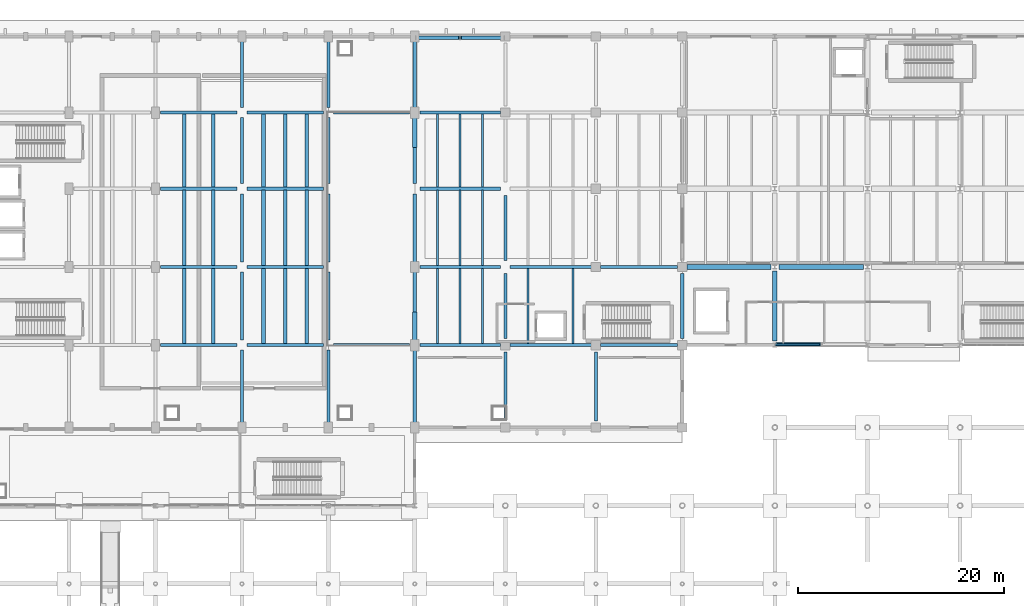
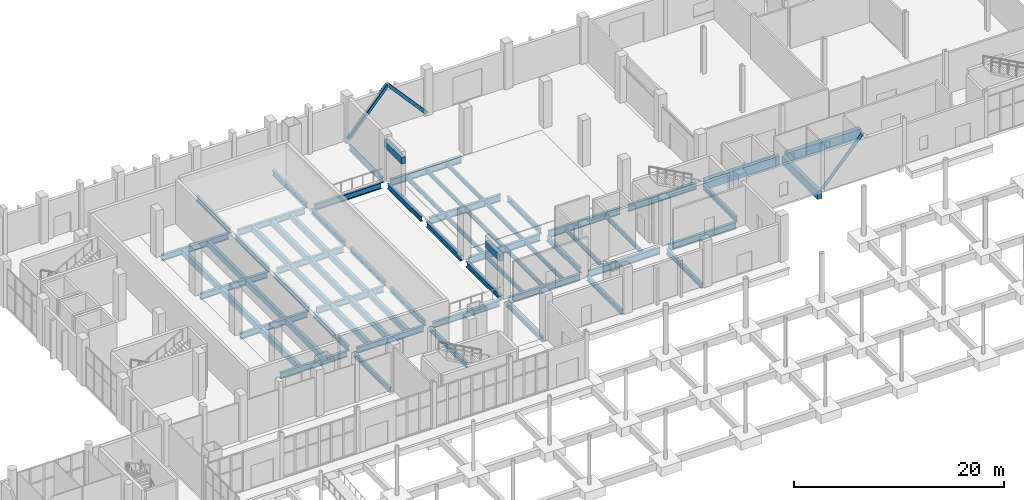
# One storey, part 46 of 95: 69 beams, 3 members.
"""IFC4 building model written with IfcOpenShell, lengths in metres."""

from ifc_helpers import new_model, si_unit, direction, frame, origin, origin_2d, place, context, subcontext, project, spatial, rectangle, hollow_rectangle, hollow_circle, i_section, extrude, material, material_profile, profile_set, type_object, element, save


model = new_model("IFC4")

# Units and contexts
model_context = context("Model", 3, precision=1e-05, world=origin(), true_north=direction((0.0, 1.0)))
body_context = subcontext(model_context, "Body", "Model", "MODEL_VIEW")
ifc_project = project(units=[si_unit("LENGTHUNIT", "METRE"), si_unit("AREAUNIT", "SQUARE_METRE"), si_unit("VOLUMEUNIT", "CUBIC_METRE"), si_unit("PLANEANGLEUNIT", "RADIAN"), si_unit("MASSUNIT", "GRAM", prefix="KILO")], contexts=[model_context])

# Site, building, storey
site_placement = place(None, origin())
site = spatial("IfcSite", under=ifc_project, at=site_placement, CompositionType="ELEMENT")
building_placement = place(site_placement, origin())
building = spatial("IfcBuilding", under=site, at=building_placement, Name="Shengluoqiao Park Theatre", CompositionType="ELEMENT")
storey_placement = place(building_placement, origin())
storey = spatial("IfcBuildingStorey", under=building, at=storey_placement, Name="L00", CompositionType="ELEMENT", Elevation=0.0)

# Beams
ifc_material_1 = material(Name="Concrete C40", Category="concrete")
ifc_material_profile_1 = material_profile(ifc_material_1, rectangle(XDim=0.35009765625, YDim=0.699951171875, at=origin_2d()), Name="RC BEAM 350x700")
ifc_profile_set_1 = profile_set([ifc_material_profile_1], Name="Concrete C40")
beam_type_1 = type_object("IfcBeamType", Name="STR-BM-B-RC3570", PredefinedType="BEAM", material=ifc_profile_set_1)
for number, where, z_axis, x_axis, name in (
    (1, (64.0, 84.14501953125, -0.64990234375), (0.0, 1.0, 0.0), (-1.0, 0.0, 0.0), "L00 Composite Joist 00121"),
    (2, (66.800048828125, 84.14501953125, -0.64990234375), (0.0, 1.0, 0.0), (-1.0, 0.0, 0.0), "L00 Composite Joist 00122"),
):
    element("IfcBeam", number, at=place(storey_placement, frame(where, z_axis=z_axis, x_axis=x_axis)), inside=storey, type_object=beam_type_1, Name=name, PredefinedType="JOIST", context=body_context, shape_type="SweptSolid", body=[
        extrude(rectangle(XDim=0.35009765625, YDim=0.699951171875, at=origin_2d()), origin(), (0.0, 0.0, 1.0), 7.31005859375),
    ])
for number, where, z_axis, x_axis, name in (
    (3, (64.0, 91.7451171875, -0.64990234375), (0.0, 1.0, 0.0), (-1.0, 0.0, 0.0), "L00 Composite Joist 00123"),
    (4, (66.800048828125, 91.7451171875, -0.64990234375), (0.0, 1.0, 0.0), (-1.0, 0.0, 0.0), "L00 Composite Joist 00124"),
):
    element("IfcBeam", number, at=place(storey_placement, frame(where, z_axis=z_axis, x_axis=x_axis)), inside=storey, type_object=beam_type_1, Name=name, PredefinedType="JOIST", context=body_context, shape_type="SweptSolid", body=[
        extrude(rectangle(XDim=0.35009765625, YDim=0.699951171875, at=origin_2d()), origin(), (0.0, 0.0, 1.0), 7.309814453125),
    ])
for number, where, z_axis, x_axis, name in (
    (5, (64.0, 99.344970703125, -0.64990234375), (0.0, 1.0, 0.0), (-1.0, 0.0, 0.0), "L00 Composite Joist 00125"),
    (6, (66.800048828125, 99.344970703125, -0.64990234375), (0.0, 1.0, 0.0), (-1.0, 0.0, 0.0), "L00 Composite Joist 00126"),
):
    element("IfcBeam", number, at=place(storey_placement, frame(where, z_axis=z_axis, x_axis=x_axis)), inside=storey, type_object=beam_type_1, Name=name, PredefinedType="JOIST", context=body_context, shape_type="SweptSolid", body=[
        extrude(rectangle(XDim=0.35009765625, YDim=0.699951171875, at=origin_2d()), origin(), (0.0, 0.0, 1.0), 7.110107421875),
    ])
for number, where, z_axis, x_axis, name in (
    (7, (71.699951171875, 84.14501953125, -0.64990234375), (0.0, 1.0, 0.0), (-1.0, 0.0, 0.0), "L00 Composite Joist 00127"),
    (8, (73.800048828125, 84.14501953125, -0.64990234375), (0.0, 1.0, 0.0), (-1.0, 0.0, 0.0), "L00 Composite Joist 00128"),
    (9, (75.89990234375, 84.14501953125, -0.64990234375), (0.0, 1.0, 0.0), (-1.0, 0.0, 0.0), "L00 Composite Joist 00129"),
):
    element("IfcBeam", number, at=place(storey_placement, frame(where, z_axis=z_axis, x_axis=x_axis)), inside=storey, type_object=beam_type_1, Name=name, PredefinedType="JOIST", context=body_context, shape_type="SweptSolid", body=[
        extrude(rectangle(XDim=0.35009765625, YDim=0.699951171875, at=origin_2d()), origin(), (0.0, 0.0, 1.0), 7.31005859375),
    ])
for number, where, z_axis, x_axis, name in (
    (10, (71.699951171875, 91.7451171875, -0.64990234375), (0.0, 1.0, 0.0), (-1.0, 0.0, 0.0), "L00 Composite Joist 00130"),
    (11, (73.800048828125, 91.7451171875, -0.64990234375), (0.0, 1.0, 0.0), (-1.0, 0.0, 0.0), "L00 Composite Joist 00131"),
    (12, (75.89990234375, 91.7451171875, -0.64990234375), (0.0, 1.0, 0.0), (-1.0, 0.0, 0.0), "L00 Composite Joist 00132"),
):
    element("IfcBeam", number, at=place(storey_placement, frame(where, z_axis=z_axis, x_axis=x_axis)), inside=storey, type_object=beam_type_1, Name=name, PredefinedType="JOIST", context=body_context, shape_type="SweptSolid", body=[
        extrude(rectangle(XDim=0.35009765625, YDim=0.699951171875, at=origin_2d()), origin(), (0.0, 0.0, 1.0), 7.309814453125),
    ])
for number, where, z_axis, x_axis, name in (
    (13, (71.699951171875, 99.344970703125, -0.64990234375), (0.0, 1.0, 0.0), (-1.0, 0.0, 0.0), "L00 Composite Joist 00133"),
    (14, (73.800048828125, 99.344970703125, -0.64990234375), (0.0, 1.0, 0.0), (-1.0, 0.0, 0.0), "L00 Composite Joist 00134"),
    (15, (75.89990234375, 99.344970703125, -0.64990234375), (0.0, 1.0, 0.0), (-1.0, 0.0, 0.0), "L00 Composite Joist 00135"),
):
    element("IfcBeam", number, at=place(storey_placement, frame(where, z_axis=z_axis, x_axis=x_axis)), inside=storey, type_object=beam_type_1, Name=name, PredefinedType="JOIST", context=body_context, shape_type="SweptSolid", body=[
        extrude(rectangle(XDim=0.35009765625, YDim=0.699951171875, at=origin_2d()), origin(), (0.0, 0.0, 1.0), 7.110107421875),
    ])
ifc_material_profile_2 = material_profile(ifc_material_1, rectangle(XDim=0.449951171875, YDim=0.949951171875, at=origin_2d()), Name="RC BEAM 450x950")
ifc_profile_set_2 = profile_set([ifc_material_profile_2], Name="Concrete C40")
beam_type_2 = type_object("IfcBeamType", Name="STR-BM-B-RC4595", PredefinedType="BEAM", material=ifc_profile_set_2)
beam_1_placement = place(storey_placement, frame((121.39990234375, 84.39404296875, -0.77490234375), z_axis=(0.0, 1.0, 0.0), x_axis=(-1.0, 0.0, 0.0)))
element("IfcBeam", 16, at=beam_1_placement, inside=storey, type_object=beam_type_2, Name="L00 Transverse Girder 00229", PredefinedType="BEAM", context=body_context, shape_type="SweptSolid", body=[
    extrude(rectangle(XDim=0.449951171875, YDim=0.949951171875, at=origin_2d()), origin(), (0.0, 0.0, 1.0), 6.81201171875),
])
ifc_material_profile_3 = material_profile(ifc_material_1, rectangle(XDim=0.5, YDim=1.10009765625, at=origin_2d()), Name="RC BEAM 500x1100")
ifc_profile_set_3 = profile_set([ifc_material_profile_3], Name="Concrete C40")
beam_type_3 = type_object("IfcBeamType", Name="STR-BM-B-RC5011", PredefinedType="BEAM", material=ifc_profile_set_3)
beam_2_placement = place(storey_placement, frame((112.843994140625, 91.60009765625, -0.85009765625), z_axis=(1.0, 0.0, 0.0), x_axis=(0.0, 1.0, 0.0)))
element("IfcBeam", 17, at=beam_2_placement, inside=storey, type_object=beam_type_3, Name="L00 Primary Girder 00220", PredefinedType="BEAM", context=body_context, shape_type="SweptSolid", body=[
    extrude(rectangle(XDim=0.5, YDim=1.10009765625, at=origin_2d()), origin(), (0.0, 0.0, 1.0), 8.162109375),
])
beam_3_placement = place(storey_placement, frame((121.7939453125, 91.60009765625, -0.85009765625), z_axis=(1.0, 0.0, 0.0), x_axis=(0.0, 1.0, 0.0)))
element("IfcBeam", 18, at=beam_3_placement, inside=storey, type_object=beam_type_3, Name="L00 Primary Girder 00221", PredefinedType="BEAM", context=body_context, shape_type="SweptSolid", body=[
    extrude(rectangle(XDim=0.5, YDim=1.10009765625, at=origin_2d()), origin(), (0.0, 0.0, 1.0), 8.212158203125),
])
ifc_material_2 = material(Name="Steel Q355", Category="steel")
ifc_material_profile_4 = material_profile(ifc_material_2, i_section(OverallWidth=0.300048828125, OverallDepth=0.58203125, WebThickness=0.011962890625, FlangeThickness=0.01708984375, FilletRadius=0.02392578125, at=origin_2d()), Name="HM 582x300x12x17")
ifc_profile_set_4 = profile_set([ifc_material_profile_4], Name="Steel Q355")
beam_type_4 = type_object("IfcBeamType", Name="STR-BM-G-HM582", PredefinedType="BEAM", material=ifc_profile_set_4)
for number, where, z_axis, x_axis, name in (
    (19, (86.39990234375, 84.493896484375, -0.591064453125), (0.0, 1.0, 0.0), (-1.0, 0.0, 0.0), "L00 Transverse Girder 00152"),
    (20, (86.39990234375, 92.093994140625, -0.571044921875), (0.0, 1.0, 0.0), (-1.0, 0.0, 0.0), "L00 Transverse Girder 00153"),
):
    element("IfcBeam", number, at=place(storey_placement, frame(where, z_axis=z_axis, x_axis=x_axis)), inside=storey, type_object=beam_type_4, Name=name, PredefinedType="BEAM", context=body_context, shape_type="SweptSolid", body=[
        extrude(i_section(OverallWidth=0.300048828125, OverallDepth=0.58203125, WebThickness=0.011962890625, FlangeThickness=0.01708984375, FilletRadius=0.02392578125, at=origin_2d()), origin(), (0.0, 0.0, 1.0), 6.612060546875),
    ])
beam_4_placement = place(storey_placement, frame((86.39990234375, 99.694091796875, -0.591064453125), z_axis=(0.0, 1.0, 0.0), x_axis=(-1.0, 0.0, 0.0)))
element("IfcBeam", 21, at=beam_4_placement, inside=storey, type_object=beam_type_4, Name="L00 Transverse Girder 00154", PredefinedType="BEAM", context=body_context, shape_type="SweptSolid", body=[
    extrude(i_section(OverallWidth=0.300048828125, OverallDepth=0.58203125, WebThickness=0.011962890625, FlangeThickness=0.01708984375, FilletRadius=0.02392578125, at=origin_2d()), origin(), (0.0, 0.0, 1.0), 6.411865234375),
])
for number, where, z_axis, x_axis, name in (
    (22, (95.199951171875, 84.64404296875, -0.571044921875), (0.0, 1.0, 0.0), (-1.0, 0.0, 0.0), "L00 Transverse Girder 00155"),
    (23, (95.199951171875, 92.243896484375, -0.571044921875), (0.0, 1.0, 0.0), (-1.0, 0.0, 0.0), "L00 Transverse Girder 00156"),
    (24, (112.39990234375, 84.64404296875, -0.591064453125), (0.0, 1.0, 0.0), (-1.0, 0.0, 0.0), "L00 Transverse Girder 00162"),
):
    element("IfcBeam", number, at=place(storey_placement, frame(where, z_axis=z_axis, x_axis=x_axis)), inside=storey, type_object=beam_type_4, Name=name, PredefinedType="BEAM", context=body_context, shape_type="SweptSolid", body=[
        extrude(i_section(OverallWidth=0.300048828125, OverallDepth=0.58203125, WebThickness=0.011962890625, FlangeThickness=0.01708984375, FilletRadius=0.02392578125, at=origin_2d()), origin(), (0.0, 0.0, 1.0), 6.31201171875),
    ])
for number, where, z_axis, x_axis, name in (
    (25, (95.199951171875, 76.64404296875, -0.571044921875), (0.0, 1.0, 0.0), (-1.0, 0.0, 0.0), "L00 Transverse Girder 00189"),
    (26, (104.0, 76.64404296875, -0.571044921875), (0.0, 1.0, 0.0), (-1.0, 0.0, 0.0), "L00 Transverse Girder 00190"),
):
    element("IfcBeam", number, at=place(storey_placement, frame(where, z_axis=z_axis, x_axis=x_axis)), inside=storey, type_object=beam_type_4, Name=name, PredefinedType="BEAM", context=body_context, shape_type="SweptSolid", body=[
        extrude(i_section(OverallWidth=0.300048828125, OverallDepth=0.58203125, WebThickness=0.011962890625, FlangeThickness=0.01708984375, FilletRadius=0.02392578125, at=origin_2d()), origin(), (0.0, 0.0, 1.0), 6.7119140625),
    ])
ifc_material_profile_5 = material_profile(ifc_material_2, i_section(OverallWidth=0.300048828125, OverallDepth=0.587890625, WebThickness=0.011962890625, FlangeThickness=0.02001953125, FilletRadius=0.02392578125, at=origin_2d()), Name="HM 588x300x12x20")
ifc_profile_set_5 = profile_set([ifc_material_profile_5], Name="Steel Q355")
beam_type_5 = type_object("IfcBeamType", Name="STR-BM-G-HM588", PredefinedType="BEAM", material=ifc_profile_set_5)
beam_5_placement = place(storey_placement, frame((69.60009765625, 76.493896484375, -0.593994140625), z_axis=(0.0, 1.0, 0.0), x_axis=(-1.0, 0.0, 0.0)))
element("IfcBeam", 27, at=beam_5_placement, inside=storey, type_object=beam_type_5, Name="L00 Transverse Girder 00111", PredefinedType="BEAM", context=body_context, shape_type="SweptSolid", body=[
    extrude(i_section(OverallWidth=0.300048828125, OverallDepth=0.587890625, WebThickness=0.011962890625, FlangeThickness=0.02001953125, FilletRadius=0.02392578125, at=origin_2d()), origin(), (0.0, 0.0, 1.0), 7.01220703125),
])
for number, where, z_axis, x_axis, name in (
    (28, (69.60009765625, 84.493896484375, -0.593994140625), (0.0, 1.0, 0.0), (-1.0, 0.0, 0.0), "L00 Transverse Girder 00112"),
    (29, (69.60009765625, 92.093994140625, -0.593994140625), (0.0, 1.0, 0.0), (-1.0, 0.0, 0.0), "L00 Transverse Girder 00113"),
):
    element("IfcBeam", number, at=place(storey_placement, frame(where, z_axis=z_axis, x_axis=x_axis)), inside=storey, type_object=beam_type_5, Name=name, PredefinedType="BEAM", context=body_context, shape_type="SweptSolid", body=[
        extrude(i_section(OverallWidth=0.300048828125, OverallDepth=0.587890625, WebThickness=0.011962890625, FlangeThickness=0.02001953125, FilletRadius=0.02392578125, at=origin_2d()), origin(), (0.0, 0.0, 1.0), 6.612060546875),
    ])
beam_6_placement = place(storey_placement, frame((69.60009765625, 99.694091796875, -0.593994140625), z_axis=(0.0, 1.0, 0.0), x_axis=(-1.0, 0.0, 0.0)))
element("IfcBeam", 30, at=beam_6_placement, inside=storey, type_object=beam_type_5, Name="L00 Transverse Girder 00114", PredefinedType="BEAM", context=body_context, shape_type="SweptSolid", body=[
    extrude(i_section(OverallWidth=0.300048828125, OverallDepth=0.587890625, WebThickness=0.011962890625, FlangeThickness=0.02001953125, FilletRadius=0.02392578125, at=origin_2d()), origin(), (0.0, 0.0, 1.0), 6.411865234375),
])
beam_7_placement = place(storey_placement, frame((69.60009765625, 107.093994140625, -0.593994140625), z_axis=(0.0, 1.0, 0.0), x_axis=(-1.0, 0.0, 0.0)))
element("IfcBeam", 31, at=beam_7_placement, inside=storey, type_object=beam_type_5, Name="L00 Transverse Girder 00115", PredefinedType="BEAM", context=body_context, shape_type="SweptSolid", body=[
    extrude(i_section(OverallWidth=0.300048828125, OverallDepth=0.587890625, WebThickness=0.011962890625, FlangeThickness=0.02001953125, FilletRadius=0.02392578125, at=origin_2d()), origin(), (0.0, 0.0, 1.0), 6.412109375),
])
beam_8_placement = place(storey_placement, frame((78.0, 76.493896484375, -0.593994140625), z_axis=(0.0, 1.0, 0.0), x_axis=(-1.0, 0.0, 0.0)))
element("IfcBeam", 32, at=beam_8_placement, inside=storey, type_object=beam_type_5, Name="L00 Transverse Girder 00116", PredefinedType="BEAM", context=body_context, shape_type="SweptSolid", body=[
    extrude(i_section(OverallWidth=0.300048828125, OverallDepth=0.587890625, WebThickness=0.011962890625, FlangeThickness=0.02001953125, FilletRadius=0.02392578125, at=origin_2d()), origin(), (0.0, 0.0, 1.0), 7.01220703125),
])
for number, where, z_axis, x_axis, name in (
    (33, (78.0, 84.493896484375, -0.593994140625), (0.0, 1.0, 0.0), (-1.0, 0.0, 0.0), "L00 Transverse Girder 00117"),
    (34, (78.0, 92.093994140625, -0.593994140625), (0.0, 1.0, 0.0), (-1.0, 0.0, 0.0), "L00 Transverse Girder 00118"),
):
    element("IfcBeam", number, at=place(storey_placement, frame(where, z_axis=z_axis, x_axis=x_axis)), inside=storey, type_object=beam_type_5, Name=name, PredefinedType="BEAM", context=body_context, shape_type="SweptSolid", body=[
        extrude(i_section(OverallWidth=0.300048828125, OverallDepth=0.587890625, WebThickness=0.011962890625, FlangeThickness=0.02001953125, FilletRadius=0.02392578125, at=origin_2d()), origin(), (0.0, 0.0, 1.0), 6.612060546875),
    ])
beam_9_placement = place(storey_placement, frame((78.0, 99.694091796875, -0.593994140625), z_axis=(0.0, 1.0, 0.0), x_axis=(-1.0, 0.0, 0.0)))
element("IfcBeam", 35, at=beam_9_placement, inside=storey, type_object=beam_type_5, Name="L00 Transverse Girder 00119", PredefinedType="BEAM", context=body_context, shape_type="SweptSolid", body=[
    extrude(i_section(OverallWidth=0.300048828125, OverallDepth=0.587890625, WebThickness=0.011962890625, FlangeThickness=0.02001953125, FilletRadius=0.02392578125, at=origin_2d()), origin(), (0.0, 0.0, 1.0), 6.411865234375),
])
beam_10_placement = place(storey_placement, frame((78.0, 107.093994140625, -0.593994140625), z_axis=(0.0, 1.0, 0.0), x_axis=(-1.0, 0.0, 0.0)))
element("IfcBeam", 36, at=beam_10_placement, inside=storey, type_object=beam_type_5, Name="L00 Transverse Girder 00120", PredefinedType="BEAM", context=body_context, shape_type="SweptSolid", body=[
    extrude(i_section(OverallWidth=0.300048828125, OverallDepth=0.587890625, WebThickness=0.011962890625, FlangeThickness=0.02001953125, FilletRadius=0.02392578125, at=origin_2d()), origin(), (0.0, 0.0, 1.0), 6.412109375),
])
beam_11_placement = place(storey_placement, frame((86.39990234375, 76.493896484375, -0.593994140625), z_axis=(0.0, 1.0, 0.0), x_axis=(-1.0, 0.0, 0.0)))
element("IfcBeam", 37, at=beam_11_placement, inside=storey, type_object=beam_type_5, Name="L00 Transverse Girder 00137", PredefinedType="BEAM", context=body_context, shape_type="SweptSolid", body=[
    extrude(i_section(OverallWidth=0.300048828125, OverallDepth=0.587890625, WebThickness=0.011962890625, FlangeThickness=0.02001953125, FilletRadius=0.02392578125, at=origin_2d()), origin(), (0.0, 0.0, 1.0), 7.01220703125),
])
beam_12_placement = place(storey_placement, frame((86.39990234375, 107.093994140625, -0.593994140625), z_axis=(0.0, 1.0, 0.0), x_axis=(-1.0, 0.0, 0.0)))
element("IfcBeam", 38, at=beam_12_placement, inside=storey, type_object=beam_type_5, Name="L00 Transverse Girder 00139", PredefinedType="BEAM", context=body_context, shape_type="SweptSolid", body=[
    extrude(i_section(OverallWidth=0.300048828125, OverallDepth=0.587890625, WebThickness=0.011962890625, FlangeThickness=0.02001953125, FilletRadius=0.02392578125, at=origin_2d()), origin(), (0.0, 0.0, 1.0), 6.412109375),
])
ifc_material_3 = material(Name="Steel Q390", Category="steel")
ifc_material_profile_6 = material_profile(ifc_material_3, i_section(OverallWidth=0.300048828125, OverallDepth=0.699951171875, WebThickness=0.012939453125, FlangeThickness=0.02392578125, FilletRadius=0.02392578125, at=origin_2d()), Name="HN 700x300x13x24")
ifc_profile_set_6 = profile_set([ifc_material_profile_6], Name="Steel Q390")
beam_type_6 = type_object("IfcBeamType", Name="STR-BM-G-HN700", PredefinedType="BEAM", material=ifc_profile_set_6)
beam_13_placement = place(storey_placement, frame((61.694091796875, 84.0, -0.64990234375), z_axis=(1.0, 0.0, 0.0), x_axis=(0.0, 1.0, 0.0)))
element("IfcBeam", 39, at=beam_13_placement, inside=storey, type_object=beam_type_6, Name="L00 Primary Girder 00103", PredefinedType="BEAM", context=body_context, shape_type="SweptSolid", body=[
    extrude(i_section(OverallWidth=0.300048828125, OverallDepth=0.699951171875, WebThickness=0.012939453125, FlangeThickness=0.02392578125, FilletRadius=0.02392578125, at=origin_2d()), origin(), (0.0, 0.0, 1.0), 7.411865234375),
])
beam_14_placement = place(storey_placement, frame((70.093994140625, 84.0, -0.64990234375), z_axis=(1.0, 0.0, 0.0), x_axis=(0.0, 1.0, 0.0)))
element("IfcBeam", 40, at=beam_14_placement, inside=storey, type_object=beam_type_6, Name="L00 Primary Girder 00104", PredefinedType="BEAM", context=body_context, shape_type="SweptSolid", body=[
    extrude(i_section(OverallWidth=0.300048828125, OverallDepth=0.699951171875, WebThickness=0.012939453125, FlangeThickness=0.02392578125, FilletRadius=0.02392578125, at=origin_2d()), origin(), (0.0, 0.0, 1.0), 7.412109375),
])
beam_15_placement = place(storey_placement, frame((61.694091796875, 91.60009765625, -0.64990234375), z_axis=(1.0, 0.0, 0.0), x_axis=(0.0, 1.0, 0.0)))
element("IfcBeam", 41, at=beam_15_placement, inside=storey, type_object=beam_type_6, Name="L00 Primary Girder 00105", PredefinedType="BEAM", context=body_context, shape_type="SweptSolid", body=[
    extrude(i_section(OverallWidth=0.300048828125, OverallDepth=0.699951171875, WebThickness=0.012939453125, FlangeThickness=0.02392578125, FilletRadius=0.02392578125, at=origin_2d()), origin(), (0.0, 0.0, 1.0), 7.411865234375),
])
beam_16_placement = place(storey_placement, frame((70.093994140625, 91.60009765625, -0.64990234375), z_axis=(1.0, 0.0, 0.0), x_axis=(0.0, 1.0, 0.0)))
element("IfcBeam", 42, at=beam_16_placement, inside=storey, type_object=beam_type_6, Name="L00 Primary Girder 00106", PredefinedType="BEAM", context=body_context, shape_type="SweptSolid", body=[
    extrude(i_section(OverallWidth=0.300048828125, OverallDepth=0.699951171875, WebThickness=0.012939453125, FlangeThickness=0.02392578125, FilletRadius=0.02392578125, at=origin_2d()), origin(), (0.0, 0.0, 1.0), 7.412109375),
])
beam_17_placement = place(storey_placement, frame((61.694091796875, 99.199951171875, -0.64990234375), z_axis=(1.0, 0.0, 0.0), x_axis=(0.0, 1.0, 0.0)))
element("IfcBeam", 43, at=beam_17_placement, inside=storey, type_object=beam_type_6, Name="L00 Primary Girder 00107", PredefinedType="BEAM", context=body_context, shape_type="SweptSolid", body=[
    extrude(i_section(OverallWidth=0.300048828125, OverallDepth=0.699951171875, WebThickness=0.012939453125, FlangeThickness=0.02392578125, FilletRadius=0.02392578125, at=origin_2d()), origin(), (0.0, 0.0, 1.0), 7.411865234375),
])
beam_18_placement = place(storey_placement, frame((70.093994140625, 99.199951171875, -0.64990234375), z_axis=(1.0, 0.0, 0.0), x_axis=(0.0, 1.0, 0.0)))
element("IfcBeam", 44, at=beam_18_placement, inside=storey, type_object=beam_type_6, Name="L00 Primary Girder 00108", PredefinedType="BEAM", context=body_context, shape_type="SweptSolid", body=[
    extrude(i_section(OverallWidth=0.300048828125, OverallDepth=0.699951171875, WebThickness=0.012939453125, FlangeThickness=0.02392578125, FilletRadius=0.02392578125, at=origin_2d()), origin(), (0.0, 0.0, 1.0), 7.412109375),
])
beam_19_placement = place(storey_placement, frame((61.694091796875, 106.60009765625, -0.64990234375), z_axis=(1.0, 0.0, 0.0), x_axis=(0.0, 1.0, 0.0)))
element("IfcBeam", 45, at=beam_19_placement, inside=storey, type_object=beam_type_6, Name="L00 Primary Girder 00109", PredefinedType="BEAM", context=body_context, shape_type="SweptSolid", body=[
    extrude(i_section(OverallWidth=0.300048828125, OverallDepth=0.699951171875, WebThickness=0.012939453125, FlangeThickness=0.02392578125, FilletRadius=0.02392578125, at=origin_2d()), origin(), (0.0, 0.0, 1.0), 7.411865234375),
])
for number, where, z_axis, x_axis, name in (
    (46, (70.093994140625, 106.60009765625, -0.64990234375), (1.0, 0.0, 0.0), (0.0, 1.0, 0.0), "L00 Primary Girder 00110"),
    (47, (78.493896484375, 84.0, -0.64990234375), (1.0, 0.0, 0.0), (0.0, 1.0, 0.0), "L00 Primary Girder 00136"),
    (48, (78.493896484375, 106.60009765625, -0.64990234375), (1.0, 0.0, 0.0), (0.0, 1.0, 0.0), "L00 Primary Girder 00138"),
):
    element("IfcBeam", number, at=place(storey_placement, frame(where, z_axis=z_axis, x_axis=x_axis)), inside=storey, type_object=beam_type_6, Name=name, PredefinedType="BEAM", context=body_context, shape_type="SweptSolid", body=[
        extrude(i_section(OverallWidth=0.300048828125, OverallDepth=0.699951171875, WebThickness=0.012939453125, FlangeThickness=0.02392578125, FilletRadius=0.02392578125, at=origin_2d()), origin(), (0.0, 0.0, 1.0), 7.412109375),
    ])
ifc_material_profile_7 = material_profile(ifc_material_3, i_section(OverallWidth=0.300048828125, OverallDepth=0.800048828125, WebThickness=0.013916015625, FlangeThickness=0.02587890625, FilletRadius=0.02587890625, at=origin_2d()), Name="HN 800x300x14x26")
ifc_profile_set_7 = profile_set([ifc_material_profile_7], Name="Steel Q390")
beam_type_7 = type_object("IfcBeamType", Name="STR-BM-G-HN800", PredefinedType="BEAM", material=ifc_profile_set_7)
beam_20_placement = place(storey_placement, frame((86.89404296875, 84.0, -0.699951171875), z_axis=(1.0, 0.0, 0.0), x_axis=(0.0, 1.0, 0.0)))
element("IfcBeam", 49, at=beam_20_placement, inside=storey, type_object=beam_type_7, Name="L00 Primary Girder 00140", PredefinedType="BEAM", context=body_context, shape_type="SweptSolid", body=[
    extrude(i_section(OverallWidth=0.300048828125, OverallDepth=0.800048828125, WebThickness=0.013916015625, FlangeThickness=0.02587890625, FilletRadius=0.02587890625, at=origin_2d()), origin(), (0.0, 0.0, 1.0), 7.862060546875),
])
beam_21_placement = place(storey_placement, frame((95.64404296875, 84.0, -0.679931640625), z_axis=(1.0, 0.0, 0.0), x_axis=(0.0, 1.0, 0.0)))
element("IfcBeam", 50, at=beam_21_placement, inside=storey, type_object=beam_type_7, Name="L00 Primary Girder 00141", PredefinedType="BEAM", context=body_context, shape_type="SweptSolid", body=[
    extrude(i_section(OverallWidth=0.300048828125, OverallDepth=0.800048828125, WebThickness=0.013916015625, FlangeThickness=0.02587890625, FilletRadius=0.02587890625, at=origin_2d()), origin(), (0.0, 0.0, 1.0), 7.911865234375),
])
beam_22_placement = place(storey_placement, frame((104.444091796875, 84.0, -0.699951171875), z_axis=(1.0, 0.0, 0.0), x_axis=(0.0, 1.0, 0.0)))
element("IfcBeam", 51, at=beam_22_placement, inside=storey, type_object=beam_type_7, Name="L00 Primary Girder 00142", PredefinedType="BEAM", context=body_context, shape_type="SweptSolid", body=[
    extrude(i_section(OverallWidth=0.300048828125, OverallDepth=0.800048828125, WebThickness=0.013916015625, FlangeThickness=0.02587890625, FilletRadius=0.02587890625, at=origin_2d()), origin(), (0.0, 0.0, 1.0), 7.511962890625),
])
beam_23_placement = place(storey_placement, frame((86.89404296875, 91.60009765625, -0.679931640625), z_axis=(1.0, 0.0, 0.0), x_axis=(0.0, 1.0, 0.0)))
element("IfcBeam", 52, at=beam_23_placement, inside=storey, type_object=beam_type_7, Name="L00 Primary Girder 00143", PredefinedType="BEAM", context=body_context, shape_type="SweptSolid", body=[
    extrude(i_section(OverallWidth=0.300048828125, OverallDepth=0.800048828125, WebThickness=0.013916015625, FlangeThickness=0.02587890625, FilletRadius=0.02587890625, at=origin_2d()), origin(), (0.0, 0.0, 1.0), 7.862060546875),
])
beam_24_placement = place(storey_placement, frame((95.64404296875, 91.60009765625, -0.679931640625), z_axis=(1.0, 0.0, 0.0), x_axis=(0.0, 1.0, 0.0)))
element("IfcBeam", 53, at=beam_24_placement, inside=storey, type_object=beam_type_7, Name="L00 Primary Girder 00144", PredefinedType="BEAM", context=body_context, shape_type="SweptSolid", body=[
    extrude(i_section(OverallWidth=0.300048828125, OverallDepth=0.800048828125, WebThickness=0.013916015625, FlangeThickness=0.02587890625, FilletRadius=0.02587890625, at=origin_2d()), origin(), (0.0, 0.0, 1.0), 7.911865234375),
])
beam_25_placement = place(storey_placement, frame((104.444091796875, 91.60009765625, -0.699951171875), z_axis=(1.0, 0.0, 0.0), x_axis=(0.0, 1.0, 0.0)))
element("IfcBeam", 54, at=beam_25_placement, inside=storey, type_object=beam_type_7, Name="L00 Primary Girder 00145", PredefinedType="BEAM", context=body_context, shape_type="SweptSolid", body=[
    extrude(i_section(OverallWidth=0.300048828125, OverallDepth=0.800048828125, WebThickness=0.013916015625, FlangeThickness=0.02587890625, FilletRadius=0.02587890625, at=origin_2d()), origin(), (0.0, 0.0, 1.0), 7.511962890625),
])
for number, where, z_axis, x_axis, name in (
    (55, (86.89404296875, 99.199951171875, -0.679931640625), (1.0, 0.0, 0.0), (0.0, 1.0, 0.0), "L00 Primary Girder 00146"),
    (56, (86.89404296875, 106.60009765625, -0.699951171875), (1.0, 0.0, 0.0), (0.0, 1.0, 0.0), "L00 Primary Girder 00149"),
):
    element("IfcBeam", number, at=place(storey_placement, frame(where, z_axis=z_axis, x_axis=x_axis)), inside=storey, type_object=beam_type_7, Name=name, PredefinedType="BEAM", context=body_context, shape_type="SweptSolid", body=[
        extrude(i_section(OverallWidth=0.300048828125, OverallDepth=0.800048828125, WebThickness=0.013916015625, FlangeThickness=0.02587890625, FilletRadius=0.02587890625, at=origin_2d()), origin(), (0.0, 0.0, 1.0), 7.862060546875),
    ])
ifc_material_profile_8 = material_profile(ifc_material_2, i_section(OverallWidth=0.199951171875, OverallDepth=0.5, WebThickness=0.010009765625, FlangeThickness=0.01611328125, FilletRadius=0.01806640625, at=origin_2d()), Name="HN 500x200x10x16")
ifc_profile_set_8 = profile_set([ifc_material_profile_8], Name="Steel Q355")
beam_type_8 = type_object("IfcBeamType", Name="STR-BM-J-HN500", PredefinedType="JOIST", material=ifc_profile_set_8)
for number, where, z_axis, x_axis, name in (
    (57, (88.60009765625, 84.14501953125, -0.530029296875), (0.0, 1.0, 0.0), (-1.0, 0.0, 0.0), "L00 Composite Joist 00166"),
    (58, (90.800048828125, 84.14501953125, -0.530029296875), (0.0, 1.0, 0.0), (-1.0, 0.0, 0.0), "L00 Composite Joist 00167"),
    (59, (93.0, 84.14501953125, -0.530029296875), (0.0, 1.0, 0.0), (-1.0, 0.0, 0.0), "L00 Composite Joist 00168"),
):
    element("IfcBeam", number, at=place(storey_placement, frame(where, z_axis=z_axis, x_axis=x_axis)), inside=storey, type_object=beam_type_8, Name=name, PredefinedType="JOIST", context=body_context, shape_type="SweptSolid", body=[
        extrude(i_section(OverallWidth=0.199951171875, OverallDepth=0.5, WebThickness=0.010009765625, FlangeThickness=0.01611328125, FilletRadius=0.01806640625, at=origin_2d()), origin(), (0.0, 0.0, 1.0), 7.31005859375),
    ])
for number, where, z_axis, x_axis, name in (
    (60, (88.60009765625, 91.7451171875, -0.530029296875), (0.0, 1.0, 0.0), (-1.0, 0.0, 0.0), "L00 Composite Joist 00169"),
    (61, (90.800048828125, 91.7451171875, -0.530029296875), (0.0, 1.0, 0.0), (-1.0, 0.0, 0.0), "L00 Composite Joist 00170"),
    (62, (93.0, 91.7451171875, -0.530029296875), (0.0, 1.0, 0.0), (-1.0, 0.0, 0.0), "L00 Composite Joist 00171"),
):
    element("IfcBeam", number, at=place(storey_placement, frame(where, z_axis=z_axis, x_axis=x_axis)), inside=storey, type_object=beam_type_8, Name=name, PredefinedType="JOIST", context=body_context, shape_type="SweptSolid", body=[
        extrude(i_section(OverallWidth=0.199951171875, OverallDepth=0.5, WebThickness=0.010009765625, FlangeThickness=0.01611328125, FilletRadius=0.01806640625, at=origin_2d()), origin(), (0.0, 0.0, 1.0), 7.309814453125),
    ])
for number, where, z_axis, x_axis, name in (
    (63, (88.60009765625, 99.344970703125, -0.530029296875), (0.0, 1.0, 0.0), (-1.0, 0.0, 0.0), "L00 Composite Joist 00172"),
    (64, (90.800048828125, 99.344970703125, -0.530029296875), (0.0, 1.0, 0.0), (-1.0, 0.0, 0.0), "L00 Composite Joist 00173"),
    (65, (93.0, 99.344970703125, -0.530029296875), (0.0, 1.0, 0.0), (-1.0, 0.0, 0.0), "L00 Composite Joist 00174"),
):
    element("IfcBeam", number, at=place(storey_placement, frame(where, z_axis=z_axis, x_axis=x_axis)), inside=storey, type_object=beam_type_8, Name=name, PredefinedType="JOIST", context=body_context, shape_type="SweptSolid", body=[
        extrude(i_section(OverallWidth=0.199951171875, OverallDepth=0.5, WebThickness=0.010009765625, FlangeThickness=0.01611328125, FilletRadius=0.01806640625, at=origin_2d()), origin(), (0.0, 0.0, 1.0), 7.110107421875),
    ])
for number, where, z_axis, x_axis, name in (
    (66, (97.39990234375, 84.14501953125, -0.530029296875), (0.0, 1.0, 0.0), (-1.0, 0.0, 0.0), "L00 Composite Joist 00175"),
    (67, (101.800048828125, 84.14501953125, -0.530029296875), (0.0, 1.0, 0.0), (-1.0, 0.0, 0.0), "L00 Composite Joist 00176"),
):
    element("IfcBeam", number, at=place(storey_placement, frame(where, z_axis=z_axis, x_axis=x_axis)), inside=storey, type_object=beam_type_8, Name=name, PredefinedType="JOIST", context=body_context, shape_type="SweptSolid", body=[
        extrude(i_section(OverallWidth=0.199951171875, OverallDepth=0.5, WebThickness=0.010009765625, FlangeThickness=0.01611328125, FilletRadius=0.01806640625, at=origin_2d()), origin(), (0.0, 0.0, 1.0), 7.31005859375),
    ])
ifc_material_profile_9 = material_profile(ifc_material_1, rectangle(XDim=0.39990234375, YDim=0.800048828125, at=origin_2d()), Name="RC BEAM 400x800")
ifc_profile_set_9 = profile_set([ifc_material_profile_9], Name="Concrete C40")
beam_type_9 = type_object("IfcBeamType", Name="STR-BM-LN-RC400", PredefinedType="LINTEL", material=ifc_profile_set_9)
beam_26_placement = place(storey_placement, frame((86.39990234375, 84.5, 4.10009765625), z_axis=(0.0, 1.0, 0.0), x_axis=(-1.0, 0.0, 0.0)))
element("IfcBeam", 68, at=beam_26_placement, inside=storey, type_object=beam_type_9, Name="L00 Structural Door Lintel 01", PredefinedType="LINTEL", context=body_context, shape_type="SweptSolid", body=[
    extrude(rectangle(XDim=0.39990234375, YDim=0.800048828125, at=origin_2d()), origin(), (0.0, 0.0, 1.0), 2.699951171875),
])
beam_27_placement = place(storey_placement, frame((86.39990234375, 103.199951171875, 4.10009765625), z_axis=(0.0, 1.0, 0.0), x_axis=(-1.0, 0.0, 0.0)))
element("IfcBeam", 69, at=beam_27_placement, inside=storey, type_object=beam_type_9, Name="L00 Structural Door Lintel 02", PredefinedType="LINTEL", context=body_context, shape_type="SweptSolid", body=[
    extrude(rectangle(XDim=0.39990234375, YDim=0.800048828125, at=origin_2d()), origin(), (0.0, 0.0, 1.0), 3.400146484375),
])

# Members
ifc_material_profile_10 = material_profile(ifc_material_2, hollow_circle(Radius=0.16259765625, WallThickness=0.013916015625, at=origin_2d()), Name="CHS 325x14")
ifc_profile_set_10 = profile_set([ifc_material_profile_10], Name="Steel Q355")
member_type_1 = type_object("IfcMemberType", Name="STR-MEM-BRC-325", PredefinedType="BRACE", material=ifc_profile_set_10)
member_placement = place(storey_placement, frame((121.489990234375, 84.080078125, 0.118408203125), z_axis=(0.673028753143, 0.0, 0.739616317724), x_axis=(0.0, 1.0, 0.0)))
element("IfcMember", 70, at=member_placement, inside=storey, type_object=member_type_1, Name="L00 Chevron Brace 0025", PredefinedType="BRACE", context=body_context, shape_type="SweptSolid", body=[
    extrude(hollow_circle(Radius=0.16259765625, WallThickness=0.013916015625, at=origin_2d()), origin(), (0.0, 0.0, 1.0), 6.51904296875),
])
ifc_material_profile_11 = material_profile(ifc_material_3, hollow_rectangle(XDim=0.35009765625, YDim=0.35009765625, WallThickness=0.01611328125, InnerFilletRadius=0.01611328125, OuterFilletRadius=0.031982421875, at=origin_2d()), Name="RHS 350x350x16")
ifc_profile_set_11 = profile_set([ifc_material_profile_11], Name="Steel Q390")
member_type_2 = type_object("IfcMemberType", Name="STR-MEM-BRR-350", PredefinedType="BRACE", material=ifc_profile_set_11)
for number, where, z_axis, x_axis, name in (
    (71, (86.488037109375, 113.8798828125, 0.1181640625), (0.665482008031, 0.0, 0.746413891207), (0.0, 1.0, 0.0), "L00 Chevron Brace 0001"),
    (72, (95.112060546875, 113.8798828125, 0.1181640625), (-0.665482008031, 0.0, 0.746413891207), (0.0, -1.0, 0.0), "L00 Chevron Brace 0002"),
):
    element("IfcMember", number, at=place(storey_placement, frame(where, z_axis=z_axis, x_axis=x_axis)), inside=storey, type_object=member_type_2, Name=name, PredefinedType="BRACE", context=body_context, shape_type="SweptSolid", body=[
        extrude(hollow_rectangle(XDim=0.35009765625, YDim=0.35009765625, WallThickness=0.01611328125, InnerFilletRadius=0.01611328125, OuterFilletRadius=0.031982421875, at=origin_2d()), origin(), (0.0, 0.0, 1.0), 6.446533203125),
    ])

save(model, "model.ifc")
